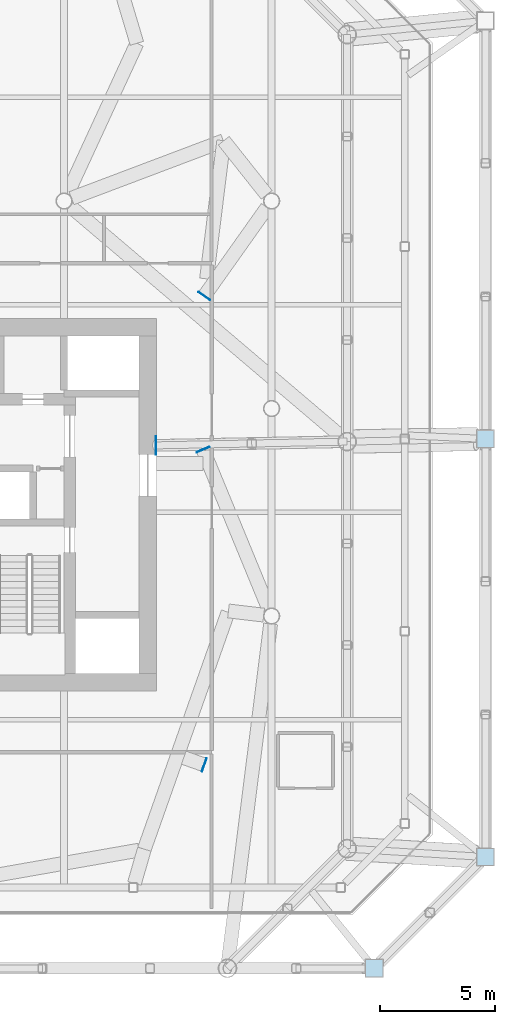
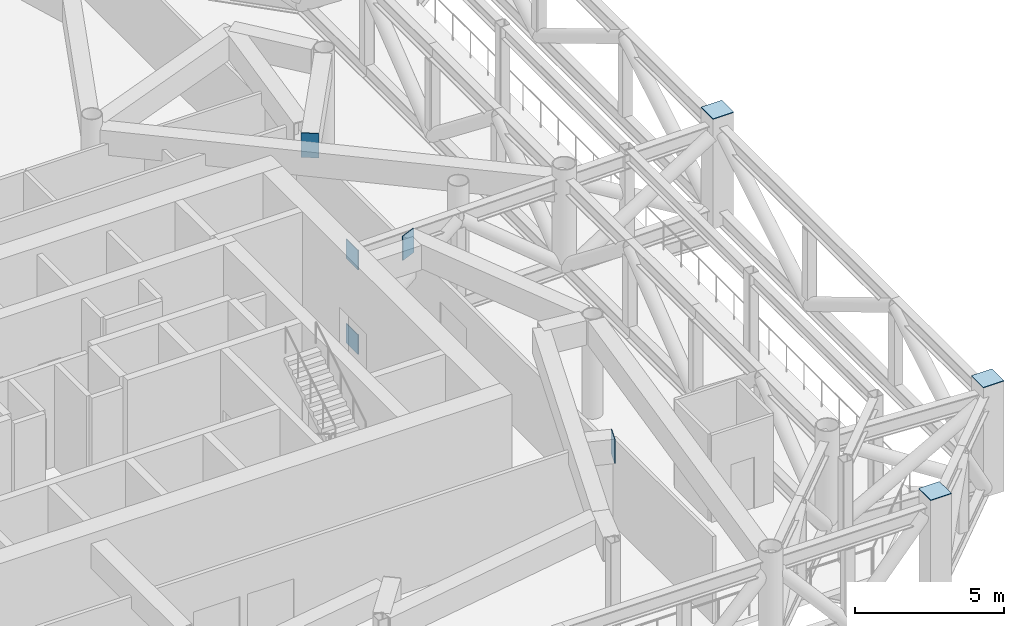
# One storey, part 11 of 21: 8 plates.
"""IFC4 building model written with IfcOpenShell, lengths in metres."""

from ifc_helpers import new_model, si_unit, direction, frame, origin, origin_2d, place, context, subcontext, project, spatial, rectangle, extrude, material, material_profile, profile_set, type_object, element, save


model = new_model("IFC4")

# Units and contexts
model_context = context("Model", 3, precision=1e-05, world=origin(), true_north=direction((0.0, 1.0)))
body_context = subcontext(model_context, "Body", "Model", "MODEL_VIEW")
ifc_project = project(units=[si_unit("LENGTHUNIT", "METRE"), si_unit("AREAUNIT", "SQUARE_METRE"), si_unit("VOLUMEUNIT", "CUBIC_METRE"), si_unit("PLANEANGLEUNIT", "RADIAN"), si_unit("MASSUNIT", "GRAM", prefix="KILO")], contexts=[model_context])

# Site, building, storey
site_placement = place(None, origin())
site = spatial("IfcSite", under=ifc_project, at=site_placement, CompositionType="ELEMENT")
building_placement = place(site_placement, origin())
building = spatial("IfcBuilding", under=site, at=building_placement, Name="Tskaro Facet Tower", CompositionType="ELEMENT")
storey_placement = place(building_placement, frame((0.0, 0.0, 167.699951171875)))
storey = spatial("IfcBuildingStorey", under=building, at=storey_placement, Name="L41", CompositionType="ELEMENT", Elevation=167.699951171875)

# Plates
ifc_material = material(Name="Steel S355J2", Category="steel")
ifc_material_profile_1 = material_profile(ifc_material, rectangle(XDim=0.60009765625, YDim=1.0, at=origin_2d()), Name="PL 600x1000x30 end plate")
ifc_profile_set_1 = profile_set([ifc_material_profile_1], Name="Steel S355J2")
plate_type_1 = type_object("IfcPlateType", Name="PL 600x1000x30 end plate", PredefinedType="SHEET", material=ifc_profile_set_1)
plate_placement = place(storey_placement, frame((15.032958984375, -1.79296875, 3.580078125), z_axis=(-0.384035122131, 0.923318485123, 0.0), x_axis=(-0.923318485123, -0.384035122131, 0.0)))
element("IfcPlate", 1, at=plate_placement, inside=storey, type_object=plate_type_1, Name="End plate CP8-27", PredefinedType="SHEET", context=body_context, shape_type="SweptSolid", body=[
    extrude(rectangle(XDim=0.60009765625, YDim=1.0, at=origin_2d()), origin(), (0.0, 0.0, 1.0), 0.02978515625),
])
for number, where, z_axis, x_axis, name in (
    (2, (15.086181640625, 4.89013671875, 3.580078125), (-0.57892191908, -0.81538298462, 0.0), (0.81538298462, -0.57892191908, 0.0), "End plate CP8-30"),
    (3, (15.064453125, -15.449951171875, 3.580078125), (0.942840183601, -0.333245237307, 0.0), (0.333245237307, 0.942840183601, 0.0), "End plate CP8-31"),
):
    element("IfcPlate", number, at=place(storey_placement, frame(where, z_axis=z_axis, x_axis=x_axis)), inside=storey, type_object=plate_type_1, Name=name, PredefinedType="SHEET", context=body_context, shape_type="SweptSolid", body=[
        extrude(rectangle(XDim=0.60009765625, YDim=1.0, at=origin_2d()), origin(), (0.0, 0.0, 1.0), 0.030029296875),
    ])
ifc_material_profile_2 = material_profile(ifc_material, rectangle(XDim=0.800048828125, YDim=0.800048828125, at=origin_2d()), Name="PL 800x800x30 cast-in plate")
ifc_profile_set_2 = profile_set([ifc_material_profile_2], Name="Steel S355J2")
plate_type_2 = type_object("IfcPlateType", Name="PL 800x800x30 cast-in plate", PredefinedType="SHEET", material=ifc_profile_set_2)
for number, where, z_axis, x_axis, name in (
    (4, (12.969970703125, -1.5966796875, 3.77001953125), (1.0, 0.0, 0.0), (0.0, 1.0, 0.0), "Cast-in plate AP1-15"),
    (5, (12.969970703125, -1.5966796875, 0.31005859375), (1.0, 0.0, 0.0), (0.0, 1.0, 0.0), "Cast-in plate AP1-16"),
):
    element("IfcPlate", number, at=place(storey_placement, frame(where, z_axis=z_axis, x_axis=x_axis)), inside=storey, type_object=plate_type_2, Name=name, PredefinedType="SHEET", context=body_context, shape_type="SweptSolid", body=[
        extrude(rectangle(XDim=0.800048828125, YDim=0.800048828125, at=origin_2d()), origin(), (0.0, 0.0, 1.0), 0.030029296875),
    ])
ifc_material_profile_3 = material_profile(ifc_material, rectangle(XDim=0.800048828125, YDim=0.800048828125, at=origin_2d()), Name="PL 800x800x30 end plate")
ifc_profile_set_3 = profile_set([ifc_material_profile_3], Name="Steel S355J2")
plate_type_3 = type_object("IfcPlateType", Name="PL 800x800x30 end plate", PredefinedType="SHEET", material=ifc_profile_set_3)
for number, where, z_axis, x_axis, name in (
    (6, (22.449951171875, -24.27587890625, 4.5), (0.0, 0.0, 1.0), (1.0, 0.0, 0.0), "End plate CP5-03"),
    (7, (27.27587890625, -19.449951171875, 4.5), (0.0, 0.0, 1.0), (1.0, 0.0, 0.0), "End plate CP5-04"),
    (8, (27.27587890625, -1.31591796875, 4.5), (0.0, 0.0, 1.0), (1.0, 0.0, 0.0), "End plate CP5-05"),
):
    element("IfcPlate", number, at=place(storey_placement, frame(where, z_axis=z_axis, x_axis=x_axis)), inside=storey, type_object=plate_type_3, Name=name, PredefinedType="SHEET", context=body_context, shape_type="SweptSolid", body=[
        extrude(rectangle(XDim=0.800048828125, YDim=0.800048828125, at=origin_2d()), origin(), (0.0, 0.0, 1.0), 0.030029296875),
    ])

save(model, "model.ifc")
